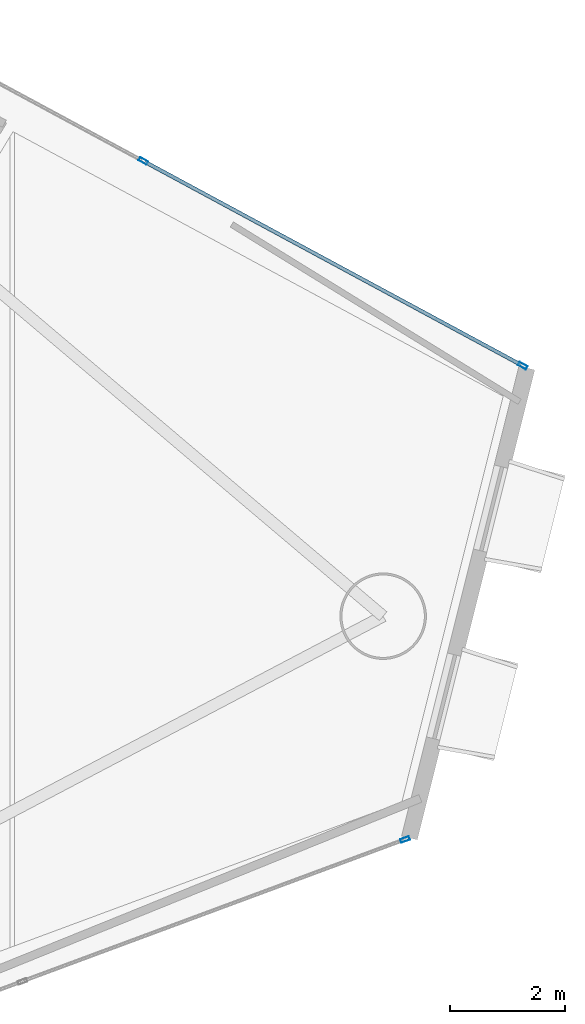
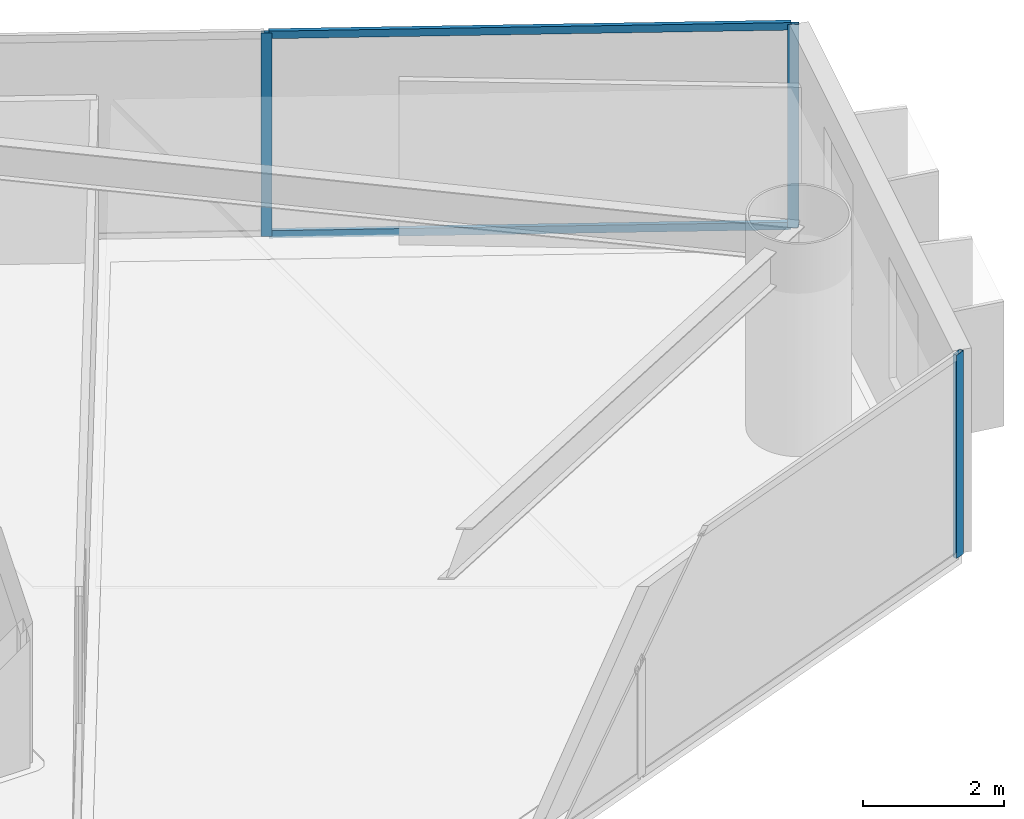
# One storey, part 13 of 21: 5 members, 2 elements without a shape of their own.
"""IFC4 building model written with IfcOpenShell, lengths in metres."""

from ifc_helpers import new_model, si_unit, direction, frame, origin, origin_2d, place, context, subcontext, project, spatial, hollow_rectangle, extrude, material, layer, layer_set, material_profile, profile_set, type_object, element, aggregate, save


model = new_model("IFC4")

# Units and contexts
model_context = context("Model", 3, precision=1e-05, world=origin(), true_north=direction((0.0, 1.0)))
body_context = subcontext(model_context, "Body", "Model", "MODEL_VIEW")
ifc_project = project(units=[si_unit("LENGTHUNIT", "METRE"), si_unit("AREAUNIT", "SQUARE_METRE"), si_unit("VOLUMEUNIT", "CUBIC_METRE"), si_unit("PLANEANGLEUNIT", "RADIAN"), si_unit("MASSUNIT", "GRAM", prefix="KILO")], contexts=[model_context])

# Site, building, storey
site_placement = place(None, origin())
site = spatial("IfcSite", under=ifc_project, at=site_placement, CompositionType="ELEMENT")
building_placement = place(site_placement, origin())
building = spatial("IfcBuilding", under=site, at=building_placement, Name="Qianvela Tower", CompositionType="ELEMENT")
storey_placement = place(building_placement, frame((0.0, 0.0, 127.39990234375)))
storey = spatial("IfcBuildingStorey", under=building, at=storey_placement, Name="L32", CompositionType="ELEMENT", Elevation=127.39990234375)

# Curtain wall, members
ifc_material_1 = material(Name="Anodised Architectural Aluminium and Low-E Glass", Category="aluminium")
ifc_layer = layer(ifc_material_1, 0.169921875)
ifc_layer_set = layer_set([ifc_layer], Name="Anodised Architectural Aluminium and Low-E Glass")
curtain_wall_type = type_object("IfcCurtainWallType", Name="CW-COLIV-Z34", PredefinedType="USERDEFINED", material=ifc_layer_set)
curtain_wall_1_placement = place(storey_placement, origin())
curtain_wall_1 = element("IfcCurtainWall", 1, at=curtain_wall_1_placement, inside=storey, type_object=curtain_wall_type, Name="L32 CW-COLIV-Z34 Curtain Wall 02A", ObjectType="CURTAIN_WALL_SYSTEM", PredefinedType="USERDEFINED")
ifc_material_2 = material(Name="Anodised Architectural Aluminium 6063-T6", Category="aluminium")
ifc_material_profile_1 = material_profile(ifc_material_2, hollow_rectangle(XDim=0.06494140625, YDim=0.159912109375, WallThickness=0.0048828125, at=origin_2d()), Name="ALU-MULL-65x160")
ifc_profile_set_1 = profile_set([ifc_material_profile_1], Name="Anodised Architectural Aluminium 6063-T6")
member_type_1 = type_object("IfcMemberType", Name="CW-COLIV-Z34-MULL", PredefinedType="MULLION", material=ifc_profile_set_1)
member_1_placement = place(storey_placement, frame((59.612548828125, 28.299560546875, 0.0), z_axis=(0.0, 0.0, 1.0), x_axis=(-0.474902544841, -0.880038392858, 0.0)))
member_1 = element("IfcMember", 2, at=member_1_placement, type_object=member_type_1, Name="CW-4 mullion 1", PredefinedType="MULLION", context=body_context, shape_type="SweptSolid", body=[
    extrude(hollow_rectangle(XDim=0.06494140625, YDim=0.159912109375, WallThickness=0.0048828125, at=origin_2d()), origin(), (0.0, 0.0, 1.0), 3.52001953125),
])
member_2_placement = place(storey_placement, frame((53.03662109375, 31.848388671875, 0.0), z_axis=(0.0, 0.0, 1.0), x_axis=(-0.474902544841, -0.880038392858, 0.0)))
member_2 = element("IfcMember", 3, at=member_2_placement, type_object=member_type_1, Name="CW-4 mullion 2", PredefinedType="MULLION", context=body_context, shape_type="SweptSolid", body=[
    extrude(hollow_rectangle(XDim=0.06494140625, YDim=0.159912109375, WallThickness=0.0048828125, at=origin_2d()), origin(), (0.0, 0.0, 1.0), 3.52001953125),
])

# Curtain wall, member
curtain_wall_2_placement = place(storey_placement, origin())
curtain_wall_2 = element("IfcCurtainWall", 4, at=curtain_wall_2_placement, inside=storey, type_object=curtain_wall_type, Name="L32 CW-COLIV-Z34 Curtain Wall 06C", ObjectType="CURTAIN_WALL_SYSTEM", PredefinedType="USERDEFINED")
member_3_placement = place(storey_placement, frame((57.57373046875, 20.08740234375, 0.0), z_axis=(0.0, 0.0, 1.0), x_axis=(-0.347802033927, 0.937567994972, 0.0)))
member_3 = element("IfcMember", 5, at=member_3_placement, type_object=member_type_1, Name="CW-4 mullion 3", PredefinedType="MULLION", context=body_context, shape_type="SweptSolid", body=[
    extrude(hollow_rectangle(XDim=0.06494140625, YDim=0.159912109375, WallThickness=0.0048828125, at=origin_2d()), origin(), (0.0, 0.0, 1.0), 3.52001953125),
])
aggregate(curtain_wall_2, [member_3])

# Member
ifc_material_3 = material(Name="Anodised Architectural Aluminium 6063-T6", Category="aluminium")
ifc_material_profile_2 = material_profile(ifc_material_3, hollow_rectangle(XDim=0.06494140625, YDim=0.1298828125, WallThickness=0.00439453125, at=origin_2d()), Name="ALU-TRAN-65x130")
ifc_profile_set_2 = profile_set([ifc_material_profile_2], Name="Anodised Architectural Aluminium 6063-T6")
member_type_2 = type_object("IfcMemberType", Name="CW-COLIV-Z34-TRAN", PredefinedType="USERDEFINED", material=ifc_profile_set_2)
member_4_placement = place(storey_placement, frame((59.583984375, 28.315185546875, 0.03271484375), z_axis=(-0.880036822101, 0.474905455588, 0.0), x_axis=(-0.474905455588, -0.880036822101, 0.0)))
member_4 = element("IfcMember", 6, at=member_4_placement, type_object=member_type_2, Name="CW-4 transom 1.1", ObjectType="TRANSOM", PredefinedType="USERDEFINED", context=body_context, shape_type="SweptSolid", body=[
    extrude(hollow_rectangle(XDim=0.06494140625, YDim=0.1298828125, WallThickness=0.00439453125, at=origin_2d()), origin(), (0.0, 0.0, 1.0), 7.407470703125),
])

member_5_placement = place(storey_placement, frame((59.583984375, 28.315185546875, 3.487548828125), z_axis=(-0.880036822101, 0.474905455588, 0.0), x_axis=(-0.474905455588, -0.880036822101, 0.0)))
member_5 = element("IfcMember", 7, at=member_5_placement, type_object=member_type_2, Name="CW-4 transom 1.2", ObjectType="TRANSOM", PredefinedType="USERDEFINED", context=body_context, shape_type="SweptSolid", body=[
    extrude(hollow_rectangle(XDim=0.06494140625, YDim=0.1298828125, WallThickness=0.00439453125, at=origin_2d()), origin(), (0.0, 0.0, 1.0), 7.407470703125),
])

aggregate(curtain_wall_1, [member_1, member_2, member_4, member_5])

save(model, "model.ifc")
